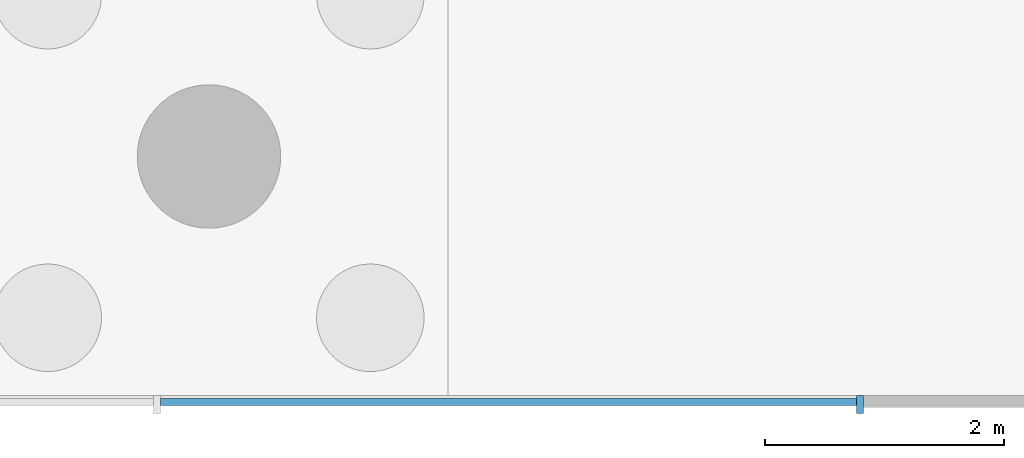
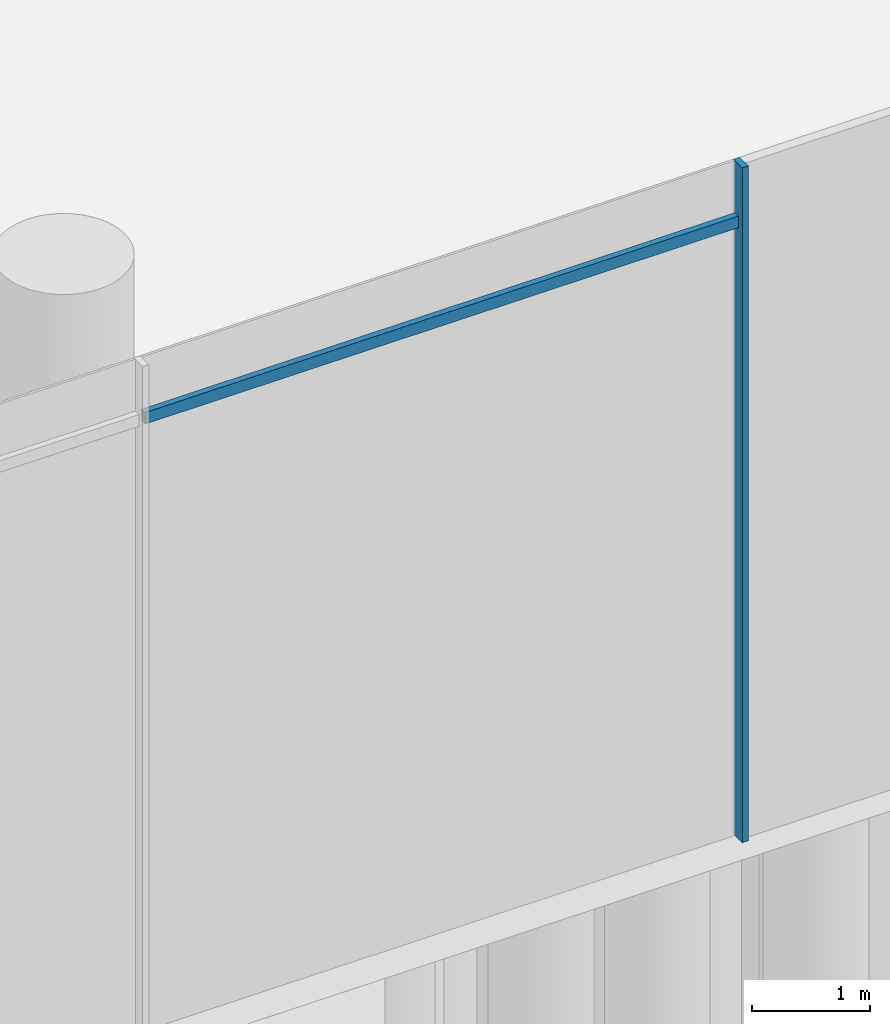
# One storey, part 5 of 41: 2 members, 1 element without a shape of its own.
"""IFC4 building model written with IfcOpenShell, lengths in metres."""

import ifcopenshell
import ifcopenshell.guid

model = None  # the IFC model being written
_history = None  # IfcOwnerHistory: only IFC2X3 demands one
_inside = {}  # id of a spatial element -> (the spatial element, [elements in it])
_under = {}  # id of a project, library or spatial element -> (it, [spatial elements below it])
_declared = {}  # id of a project -> (the project, [libraries it declares])
_typed = {}  # id of a type object -> (the type object, [elements of that type])
_made_of = {}  # id of a material, layer set ... -> (it, [elements and type objects made of it])


def new_model(schema):
    """Start an empty IFC model of exactly this schema.

    Asked for "IFC4X3", IfcOpenShell would pick the latest addendum, in which some entities
    have other attributes; the version numbers below select the first issue.
    IFC2X3 requires an IfcOwnerHistory on every rooted entity: one is made here for all.
    """
    global model, _history
    if schema == "IFC4X3":
        model = ifcopenshell.file(schema_version=(4, 3, 0, 0))
    else:
        model = ifcopenshell.file(schema=schema)
    _inside.clear()
    _under.clear()
    _declared.clear()
    _typed.clear()
    _made_of.clear()
    _history = None
    if model.schema == "IFC2X3":
        org = make("IfcOrganization", Name="unknown")
        user = make(
            "IfcPersonAndOrganization",
            ThePerson=make("IfcPerson", FamilyName="unknown"),
            TheOrganization=org,
        )
        app = make(
            "IfcApplication",
            ApplicationDeveloper=org,
            Version="unknown",
            ApplicationFullName="unknown",
            ApplicationIdentifier="unknown",
        )
        _history = make(
            "IfcOwnerHistory",
            OwningUser=user,
            OwningApplication=app,
            ChangeAction="ADDED",
            CreationDate=0,
        )
    return model


def make(cls, **values):
    """One entity of the class cls with the attributes given. An attribute that is None is left unset."""
    return model.create_entity(
        cls, **{name: value for name, value in values.items() if value is not None}
    )


def rooted(cls, **values):
    """An entity with a GlobalId (a new one), such as an element, a storey or a relation."""
    return make(cls, GlobalId=ifcopenshell.guid.new(), OwnerHistory=_history, **values)


def si_unit(unit_type, name, prefix=None):
    """IfcSIUnit, for example si_unit("LENGTHUNIT", "METRE", prefix="MILLI")."""
    return make("IfcSIUnit", UnitType=unit_type, Prefix=prefix, Name=name)


def assignment(units):
    """IfcUnitAssignment: the units of a project."""
    return None if units is None else make("IfcUnitAssignment", Units=units)


def point(xyz):
    """IfcCartesianPoint."""
    return None if xyz is None else make("IfcCartesianPoint", Coordinates=xyz)


def direction(xyz):
    """IfcDirection."""
    return None if xyz is None else make("IfcDirection", DirectionRatios=xyz)


def frame(location, z_axis=None, x_axis=None):
    """IfcAxis2Placement3D, a coordinate frame: its origin and axes. An axis left out is left unset."""
    return make(
        "IfcAxis2Placement3D",
        Location=point(location),
        Axis=direction(z_axis),
        RefDirection=direction(x_axis),
    )


def frame_2d(location, x_axis=None):
    """IfcAxis2Placement2D, a coordinate frame in the plane: its origin and x axis."""
    return make(
        "IfcAxis2Placement2D", Location=point(location), RefDirection=direction(x_axis)
    )


def origin():
    """The frame at (0, 0, 0) with its axes left unset."""
    return frame((0.0, 0.0, 0.0))


def origin_2d():
    """The frame at (0, 0) in the plane with its x axis left unset."""
    return frame_2d((0.0, 0.0))


def place(relative_to, where):
    """IfcLocalPlacement: puts the frame where relative to a parent placement (None: the world)."""
    return make(
        "IfcLocalPlacement", PlacementRelTo=relative_to, RelativePlacement=where
    )


def context(
    kind, dimensions, precision=None, world=None, true_north=None, identifier=None
):
    """IfcGeometricRepresentationContext, for example the 3D "Model" context."""
    return make(
        "IfcGeometricRepresentationContext",
        ContextIdentifier=identifier,
        ContextType=kind,
        CoordinateSpaceDimension=dimensions,
        Precision=precision,
        WorldCoordinateSystem=world,
        TrueNorth=true_north,
    )


def subcontext(parent, identifier, kind, view, scale=None):
    """IfcGeometricRepresentationSubContext, for example "Body" below "Model"."""
    return make(
        "IfcGeometricRepresentationSubContext",
        ContextIdentifier=identifier,
        ContextType=kind,
        ParentContext=parent,
        TargetScale=scale,
        TargetView=view,
    )


def project(units=None, contexts=None):
    """IfcProject with its units and contexts."""
    return rooted(
        "IfcProject",
        Name="project",
        RepresentationContexts=contexts,
        UnitsInContext=assignment(units),
    )


def spatial(cls, under=None, at=None, **own):
    """A site, building, storey or space (cls), placed at a placement, below another one or the project."""
    s = rooted(cls, ObjectPlacement=at, **own)
    if under is not None:
        _under.setdefault(under.id(), (under, []))[1].append(s)
    return s


def profile(cls, at=None, kind="AREA", **sizes):
    """A parametric profile (cls). Its sizes go by their IFC names, for example OverallWidth=200.0."""
    return make(cls, ProfileType=kind, Position=at, **sizes)


def rectangle(**sizes):
    """IfcRectangleProfileDef."""
    return profile("IfcRectangleProfileDef", **sizes)


def extrude(swept, where, along, depth):
    """IfcExtrudedAreaSolid: the profile swept, set in the frame where, extruded along a direction by depth."""
    return make(
        "IfcExtrudedAreaSolid",
        SweptArea=swept,
        Position=where,
        ExtrudedDirection=direction(along),
        Depth=depth,
    )


def shape(context_of_items, identifier, shape_type, items):
    """IfcShapeRepresentation: the items that make up one representation, for example the "Body"."""
    return make(
        "IfcShapeRepresentation",
        ContextOfItems=context_of_items,
        RepresentationIdentifier=identifier,
        RepresentationType=shape_type,
        Items=items,
    )


def material(Name=None, Category=None):
    """IfcMaterial."""
    return make("IfcMaterial", Name=Name, Category=Category)


def material_profile(
    of_material, cross_section, Name=None, Category=None, Priority=None
):
    """IfcMaterialProfile: a cross section and its material."""
    return make(
        "IfcMaterialProfile",
        Name=Name,
        Material=of_material,
        Profile=cross_section,
        Priority=Priority,
        Category=Category,
    )


def profile_set(profiles, Name=None, composite=None):
    """IfcMaterialProfileSet."""
    return make(
        "IfcMaterialProfileSet",
        Name=Name,
        MaterialProfiles=profiles,
        CompositeProfile=composite,
    )


def made_of(thing, what):
    """Note that an element or type object is made of a material, layer set ...; save() writes the relation."""
    if what is not None:
        _made_of.setdefault(what.id(), (what, []))[1].append(thing)
    return thing


def type_object(cls, material=None, **own):
    """A type object (cls), such as IfcWallType, which elements share."""
    return made_of(rooted(cls, **own), material)


def element(
    cls,
    number,
    at=None,
    inside=None,
    cuts=None,
    type_object=None,
    material=None,
    context=None,
    identifier="Body",
    shape_type=None,
    held_by="IfcProductDefinitionShape",
    body=None,
    shapes=None,
    **own,
):
    """One element of the class cls, such as IfcWall. Its Tag is "e" and its number.

    at: its placement. inside: the storey or other place that contains it. cuts: it is an
    opening in that element (IfcRelVoidsElement). A single representation is given by context,
    identifier, shape_type and body (its items); several are given by shapes. held_by: the class
    of the entity that holds the representations. save() writes the other relations.
    """
    e = rooted(cls, Tag="e%d" % number, ObjectPlacement=at, **own)
    if body is not None:
        shapes = [shape(context, identifier, shape_type, body)]
    if shapes is not None:
        e.Representation = make(held_by, Representations=shapes)
    if inside is not None:
        _inside.setdefault(inside.id(), (inside, []))[1].append(e)
    if cuts is not None:
        rooted(
            "IfcRelVoidsElement", RelatingBuildingElement=cuts, RelatedOpeningElement=e
        )
    if type_object is not None:
        _typed.setdefault(type_object.id(), (type_object, []))[1].append(e)
    return made_of(e, material)


def aggregate(whole, parts):
    """IfcRelAggregates: a whole, such as a stair, and the parts it consists of."""
    return rooted("IfcRelAggregates", RelatingObject=whole, RelatedObjects=parts)


def save(model, path):
    """Write the relations noted so far, then the file.

    IfcRelAggregates (storeys below a building ...), IfcRelContainedInSpatialStructure (elements
    in a storey), IfcRelDefinesByType, IfcRelAssociatesMaterial and IfcRelDeclares: one each for
    every whole, place, type object, material and project.
    """
    for whole, parts in _under.values():
        aggregate(whole, parts)
    for where, things in _inside.values():
        rooted(
            "IfcRelContainedInSpatialStructure",
            RelatedElements=things,
            RelatingStructure=where,
        )
    for kind, things in _typed.values():
        rooted("IfcRelDefinesByType", RelatedObjects=things, RelatingType=kind)
    for what, things in _made_of.values():
        rooted("IfcRelAssociatesMaterial", RelatedObjects=things, RelatingMaterial=what)
    for by, libraries in _declared.values():
        rooted("IfcRelDeclares", RelatingContext=by, RelatedDefinitions=libraries)
    model.write(path)


model = new_model("IFC4")

# Units and contexts
model_context = context("Model", 3, precision=1e-05, world=origin(), true_north=direction((0.0, 1.0)))
body_context = subcontext(model_context, "Body", "Model", "MODEL_VIEW")
ifc_project = project(units=[si_unit("LENGTHUNIT", "METRE"), si_unit("AREAUNIT", "SQUARE_METRE"), si_unit("VOLUMEUNIT", "CUBIC_METRE"), si_unit("PLANEANGLEUNIT", "RADIAN"), si_unit("MASSUNIT", "GRAM", prefix="KILO")], contexts=[model_context])

# Site, building, storey
site_placement = place(None, origin())
site = spatial("IfcSite", under=ifc_project, at=site_placement, CompositionType="ELEMENT")
building_placement = place(site_placement, origin())
building = spatial("IfcBuilding", under=site, at=building_placement, Name="Rimbun Link Towers", CompositionType="ELEMENT")
storey_placement = place(building_placement, origin())
storey = spatial("IfcBuildingStorey", under=building, at=storey_placement, Name="L00", CompositionType="ELEMENT", Elevation=0.0)

# Curtain wall, members
ifc_material_1 = material(Name="Aluminium 6063-T6 and low-iron glass", Category="aluminium")
curtain_wall_type = type_object("IfcCurtainWallType", Name="CW3 podium shopfront", PredefinedType="NOTDEFINED", material=ifc_material_1)
curtain_wall_placement = place(storey_placement, origin())
curtain_wall = element("IfcCurtainWall", 1, at=curtain_wall_placement, inside=storey, type_object=curtain_wall_type, Name="CW3 L00 PD", PredefinedType="NOTDEFINED")
ifc_material_2 = material(Name="Aluminium 6063-T6", Category="aluminium")
ifc_material_profile_1 = material_profile(ifc_material_2, rectangle(XDim=0.14990234375, YDim=0.06005859375, at=origin_2d()), Name="MULLION 60X150")
ifc_profile_set_1 = profile_set([ifc_material_profile_1], Name="Aluminium 6063-T6")
member_type_1 = type_object("IfcMemberType", Name="CW3 mullion 60X150", PredefinedType="MULLION", material=ifc_profile_set_1)
member_1_placement = place(storey_placement, frame((-32.35302734375, -48.074951171875, 0.0), z_axis=(0.0, 0.0, 1.0), x_axis=(0.0, -1.0, 0.0)))
member_1 = element("IfcMember", 2, at=member_1_placement, type_object=member_type_1, Name="CW3 mullion", PredefinedType="MULLION", context=body_context, shape_type="SweptSolid", body=[
    extrude(rectangle(XDim=0.14990234375, YDim=0.06005859375, at=origin_2d()), origin(), (0.0, 0.0, 1.0), 7.0),
])
ifc_material_3 = material(Name="Aluminium 6063-T6", Category="aluminium")
ifc_material_profile_2 = material_profile(ifc_material_3, rectangle(XDim=0.06005859375, YDim=0.1201171875, at=origin_2d()), Name="TRANSOM 60X120")
ifc_profile_set_2 = profile_set([ifc_material_profile_2], Name="Aluminium 6063-T6")
member_type_2 = type_object("IfcMemberType", Name="CW3 transom 60X120", PredefinedType="USERDEFINED", material=ifc_profile_set_2)
member_2_placement = place(storey_placement, frame((-32.383056640625, -48.053955078125, 6.39990234375), z_axis=(-1.0, 0.0, 0.0), x_axis=(0.0, -1.0, 0.0)))
member_2 = element("IfcMember", 3, at=member_2_placement, type_object=member_type_2, Name="CW3 transom", ObjectType="TRANSOM", PredefinedType="USERDEFINED", context=body_context, shape_type="SweptSolid", body=[
    extrude(rectangle(XDim=0.06005859375, YDim=0.1201171875, at=origin_2d()), origin(), (0.0, 0.0, 1.0), 5.822265625),
])
aggregate(curtain_wall, [member_1, member_2])

save(model, "model.ifc")
